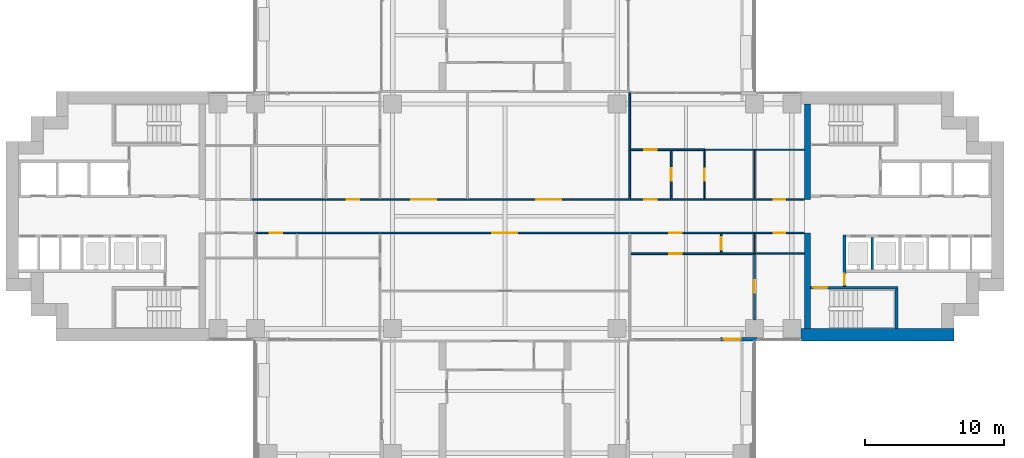
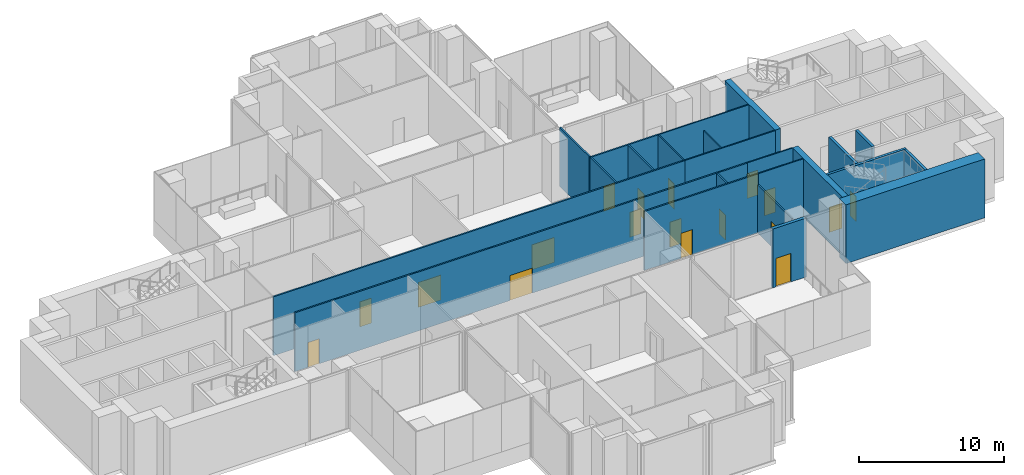
# One storey, part 9 of 17: 23 walls, 18 doors, 18 openings.
"""IFC4 building model written with IfcOpenShell, lengths in metres."""

from ifc_helpers import new_model, si_unit, direction, frame, frame_2d, origin, place, context, subcontext, project, spatial, rectangle, extrude, material, layer, layer_set, type_object, element, fill, save


model = new_model("IFC4")

# Units and contexts
model_context = context("Model", 3, precision=1e-05, world=origin(), true_north=direction((0.0, 1.0)))
body_context = subcontext(model_context, "Body", "Model", "MODEL_VIEW")
ifc_project = project(units=[si_unit("LENGTHUNIT", "METRE"), si_unit("AREAUNIT", "SQUARE_METRE"), si_unit("VOLUMEUNIT", "CUBIC_METRE"), si_unit("PLANEANGLEUNIT", "RADIAN"), si_unit("MASSUNIT", "GRAM", prefix="KILO")], contexts=[model_context])

# Site, building, storey
site_placement = place(None, origin())
site = spatial("IfcSite", under=ifc_project, at=site_placement, CompositionType="ELEMENT")
building_placement = place(site_placement, origin())
building = spatial("IfcBuilding", under=site, at=building_placement, Name="Perihelion Cross Residences", CompositionType="ELEMENT")
storey_placement = place(building_placement, frame((0.0, 0.0, 92.5)))
storey = spatial("IfcBuildingStorey", under=building, at=storey_placement, Name="L21", CompositionType="ELEMENT", Elevation=92.5)

# Wall, opening, door
ifc_material_1 = material(Name="Concrete C30/37, bronze-clad", Category="concrete")
ifc_layer_1 = layer(ifc_material_1, 0.25)
ifc_layer_set_1 = layer_set([ifc_layer_1], Name="Bronze-clad pier wall 250")
wall_type_1 = type_object("IfcWallType", Name="Bronze-clad pier wall 250", PredefinedType="SOLIDWALL", material=ifc_layer_set_1)
wall_1_placement = place(storey_placement, frame((15.550048828125, -8.875, 0.0), z_axis=(0.0, 0.0, 1.0), x_axis=(1.0, 0.0, 0.0)))
wall_1 = element("IfcWall", 1, at=wall_1_placement, inside=storey, type_object=wall_type_1, Name="Wall FW1 L21 east side south bay 1 pier", PredefinedType="SOLIDWALL", context=body_context, shape_type="SweptSolid", body=[
    extrude(rectangle(XDim=2.64990234375, YDim=0.25, at=frame_2d((1.324951171875, 0.0))), origin(), (0.0, 0.0, 1.0), 4.949951171875),
])
opening_1_placement = place(wall_1_placement, frame((0.25, 0.0, 0.0)))
opening_1 = element("IfcOpeningElement", 2, at=opening_1_placement, cuts=wall_1, Name="Opening L21.E08", PredefinedType="OPENING", context=body_context, shape_type="SweptSolid", body=[
    extrude(rectangle(XDim=1.199951171875, YDim=2.39990234375, at=frame_2d((0.60009765625, 1.199951171875))), frame((0.0, 0.135009765625, 0.0), z_axis=(0.0, -1.0, 0.0), x_axis=(1.0, 0.0, 0.0)), (0.0, 0.0, 1.0), 0.27001953125),
])
ifc_material_2 = material(Name="Bronze anodised aluminium, glazed", Category="aluminium")
door_type_1 = type_object("IfcDoorType", Name="Balcony door 1200 x 2400", OperationType="NOTDEFINED", PredefinedType="DOOR", material=ifc_material_2)
door_1_placement = place(opening_1_placement, origin())
door_1 = element("IfcDoor", 3, at=door_1_placement, inside=storey, type_object=door_type_1, Name="Door L21.E08 east side south bay 1", OperationType="SINGLE_SWING_LEFT", OverallHeight=2.39990234375, OverallWidth=1.199951171875, PredefinedType="DOOR", context=body_context, shape_type="SweptSolid", body=[
    extrude(rectangle(XDim=1.199951171875, YDim=2.39990234375, at=frame_2d((0.60009765625, 1.199951171875))), frame((0.0, 0.02490234375, 0.0), z_axis=(0.0, -1.0, 0.0), x_axis=(1.0, 0.0, 0.0)), (0.0, 0.0, 1.0), 0.050048828125),
])
fill(opening_1, door_1)

# Walls
ifc_material_3 = material(Name="Concrete C60/75", Category="concrete")
ifc_layer_2 = layer(ifc_material_3, 0.449951171875)
ifc_layer_set_2 = layer_set([ifc_layer_2], Name="Core wall, inner 450")
wall_type_2 = type_object("IfcWallType", Name="Core wall, inner 450", PredefinedType="SHEAR", material=ifc_layer_set_2)
for number, where, z_axis, x_axis, name in (
    (4, (21.824951171875, -8.10009765625, 0.0), (0.0, 0.0, 1.0), (0.0, 1.0, 0.0), "East core core wall, inner"),
    (5, (21.824951171875, 1.199951171875, 0.0), (0.0, 0.0, 1.0), (0.0, 1.0, 0.0), "East core core wall, inner"),
):
    element("IfcWall", number, at=place(storey_placement, frame(where, z_axis=z_axis, x_axis=x_axis)), inside=storey, type_object=wall_type_2, Name=name, PredefinedType="SHEAR", context=body_context, shape_type="SweptSolid", body=[
        extrude(rectangle(XDim=6.900146484375, YDim=0.449951171875, at=frame_2d((3.4501953125, 0.0))), origin(), (0.0, 0.0, 1.0), 4.949951171875),
    ])
ifc_material_4 = material(Name="Concrete C60/75", Category="concrete")
ifc_layer_3 = layer(ifc_material_4, 0.89990234375)
ifc_layer_set_3 = layer_set([ifc_layer_3], Name="Core wall, outer 900")
wall_type_3 = type_object("IfcWallType", Name="Core wall, outer 900", PredefinedType="SHEAR", material=ifc_layer_set_3)
wall_2_placement = place(storey_placement, frame((21.35009765625, -8.550048828125, 0.0), z_axis=(0.0, 0.0, 1.0), x_axis=(1.0, 0.0, 0.0)))
element("IfcWall", 6, at=wall_2_placement, inside=storey, type_object=wall_type_3, Name="East core core wall, outer", PredefinedType="SHEAR", context=body_context, shape_type="SweptSolid", body=[
    extrude(rectangle(XDim=11.0498046875, YDim=0.89990234375, at=frame_2d((5.52490234375, 0.0))), origin(), (0.0, 0.0, 1.0), 4.949951171875),
])

# Wall, opening, door
ifc_material_5 = material(Name="Concrete C50/60", Category="concrete")
ifc_layer_4 = layer(ifc_material_5, 0.199951171875)
ifc_layer_set_4 = layer_set([ifc_layer_4], Name="Lobby wall 200")
wall_type_4 = type_object("IfcWallType", Name="Lobby wall 200", PredefinedType="SOLIDWALL", material=ifc_layer_set_4)
wall_3_placement = place(storey_placement, frame((24.5, -5.050048828125, 0.0), z_axis=(0.0, 0.0, 1.0), x_axis=(0.0, 1.0, 0.0)))
wall_3 = element("IfcWall", 7, at=wall_3_placement, inside=storey, type_object=wall_type_4, Name="East core lobby wall", PredefinedType="SOLIDWALL", context=body_context, shape_type="SweptSolid", body=[
    extrude(rectangle(XDim=3.699951171875, YDim=0.199951171875, at=frame_2d((1.85009765625, 0.0))), origin(), (0.0, 0.0, 1.0), 4.949951171875),
])
opening_2_placement = place(wall_3_placement, frame((0.10009765625, 0.0, 0.0)))
opening_2 = element("IfcOpeningElement", 8, at=opening_2_placement, cuts=wall_3, Name="Opening L21.C13", PredefinedType="OPENING", context=body_context, shape_type="SweptSolid", body=[
    extrude(rectangle(XDim=0.800048828125, YDim=2.10009765625, at=frame_2d((0.39990234375, 1.050048828125))), frame((0.0, 0.10986328125, 0.0), z_axis=(0.0, -1.0, 0.0), x_axis=(1.0, 0.0, 0.0)), (0.0, 0.0, 1.0), 0.219970703125),
])
ifc_material_6 = material(Name="Steel, powder coated", Category="steel")
door_type_2 = type_object("IfcDoorType", Name="Riser door 800", OperationType="SINGLE_SWING_LEFT", PredefinedType="DOOR", material=ifc_material_6)
door_2_placement = place(opening_2_placement, origin())
door_2 = element("IfcDoor", 9, at=door_2_placement, inside=storey, type_object=door_type_2, Name="East core riser door", OperationType="SINGLE_SWING_LEFT", OverallHeight=2.10009765625, OverallWidth=0.800048828125, PredefinedType="DOOR", context=body_context, shape_type="SweptSolid", body=[
    extrude(rectangle(XDim=0.800048828125, YDim=2.10009765625, at=frame_2d((0.39990234375, 1.050048828125))), frame((0.0, 0.02490234375, 0.0), z_axis=(0.0, -1.0, 0.0), x_axis=(1.0, 0.0, 0.0)), (0.0, 0.0, 1.0), 0.050048828125),
])
fill(opening_2, door_2)

# Wall, openings, doors
ifc_material_7 = material(Name="Plasterboard partition")
ifc_layer_5 = layer(ifc_material_7, 0.1201171875)
ifc_layer_set_5 = layer_set([ifc_layer_5], Name="Partition wall 120")
wall_type_5 = type_object("IfcWallType", Name="Partition wall 120", PredefinedType="PARTITIONING", material=ifc_layer_set_5)
wall_4_placement = place(storey_placement, frame((-18.300048828125, 1.199951171875, 0.0), z_axis=(0.0, 0.0, 1.0), x_axis=(1.0, 0.0, 0.0)))
wall_4 = element("IfcWall", 10, at=wall_4_placement, inside=storey, type_object=wall_type_5, Name="Partition L21 W001", PredefinedType="PARTITIONING", context=body_context, shape_type="SweptSolid", body=[
    extrude(rectangle(XDim=32.699951171875, YDim=0.1201171875, at=frame_2d((16.35009765625, 0.0))), origin(), (0.0, 0.0, 1.0), 4.949951171875),
])
opening_3_placement = place(wall_4_placement, frame((11.550048828125, 0.0, 0.0)))
opening_3 = element("IfcOpeningElement", 11, at=opening_3_placement, cuts=wall_4, Name="Opening L21.A01", PredefinedType="OPENING", context=body_context, shape_type="SweptSolid", body=[
    extrude(rectangle(XDim=1.800048828125, YDim=2.10009765625, at=frame_2d((0.89990234375, 1.050048828125))), frame((0.0, 0.070068359375, 0.0), z_axis=(0.0, -1.0, 0.0), x_axis=(1.0, 0.0, 0.0)), (0.0, 0.0, 1.0), 0.14013671875),
])
opening_4_placement = place(wall_4_placement, frame((20.550048828125, 0.0, 0.0)))
opening_4 = element("IfcOpeningElement", 12, at=opening_4_placement, cuts=wall_4, Name="Opening L21.A02", PredefinedType="OPENING", context=body_context, shape_type="SweptSolid", body=[
    extrude(rectangle(XDim=1.800048828125, YDim=2.10009765625, at=frame_2d((0.89990234375, 1.050048828125))), frame((0.0, 0.070068359375, 0.0), z_axis=(0.0, -1.0, 0.0), x_axis=(1.0, 0.0, 0.0)), (0.0, 0.0, 1.0), 0.14013671875),
])
opening_5_placement = place(wall_4_placement, frame((28.35009765625, 0.0, 0.0)))
opening_5 = element("IfcOpeningElement", 13, at=opening_5_placement, cuts=wall_4, Name="Opening L21.A04", PredefinedType="OPENING", context=body_context, shape_type="SweptSolid", body=[
    extrude(rectangle(XDim=0.89990234375, YDim=2.10009765625, at=frame_2d((0.449951171875, 1.050048828125))), frame((0.0, 0.070068359375, 0.0), z_axis=(0.0, -1.0, 0.0), x_axis=(1.0, 0.0, 0.0)), (0.0, 0.0, 1.0), 0.14013671875),
])
opening_6_placement = place(wall_4_placement, frame((6.89990234375, 0.0, 0.0)))
opening_6 = element("IfcOpeningElement", 14, at=opening_6_placement, cuts=wall_4, Name="Opening L21.A08", PredefinedType="OPENING", context=body_context, shape_type="SweptSolid", body=[
    extrude(rectangle(XDim=0.89990234375, YDim=2.10009765625, at=frame_2d((0.449951171875, 1.050048828125))), frame((0.0, 0.070068359375, 0.0), z_axis=(0.0, -1.0, 0.0), x_axis=(1.0, 0.0, 0.0)), (0.0, 0.0, 1.0), 0.14013671875),
])
ifc_material_8 = material(Name="Glazed timber door leaf", Category="wood")
door_type_3 = type_object("IfcDoorType", Name="Interior double leaf door 1800 x 2100", OperationType="DOUBLE_DOOR_SINGLE_SWING", PredefinedType="DOOR", material=ifc_material_8)
door_3_placement = place(opening_3_placement, origin())
door_3 = element("IfcDoor", 15, at=door_3_placement, inside=storey, type_object=door_type_3, Name="Door L21.A01", OperationType="SINGLE_SWING_LEFT", OverallHeight=2.10009765625, OverallWidth=1.800048828125, PredefinedType="DOOR", context=body_context, shape_type="SweptSolid", body=[
    extrude(rectangle(XDim=1.800048828125, YDim=2.10009765625, at=frame_2d((0.89990234375, 1.050048828125))), frame((0.0, 0.02490234375, 0.0), z_axis=(0.0, -1.0, 0.0), x_axis=(1.0, 0.0, 0.0)), (0.0, 0.0, 1.0), 0.050048828125),
])
fill(opening_3, door_3)
door_4_placement = place(opening_4_placement, origin())
door_4 = element("IfcDoor", 16, at=door_4_placement, inside=storey, type_object=door_type_3, Name="Door L21.A02", OperationType="SINGLE_SWING_LEFT", OverallHeight=2.10009765625, OverallWidth=1.800048828125, PredefinedType="DOOR", context=body_context, shape_type="SweptSolid", body=[
    extrude(rectangle(XDim=1.800048828125, YDim=2.10009765625, at=frame_2d((0.89990234375, 1.050048828125))), frame((0.0, 0.02490234375, 0.0), z_axis=(0.0, -1.0, 0.0), x_axis=(1.0, 0.0, 0.0)), (0.0, 0.0, 1.0), 0.050048828125),
])
fill(opening_4, door_4)
ifc_material_9 = material(Name="Timber door leaf", Category="wood")
door_type_4 = type_object("IfcDoorType", Name="Interior room door 900 x 2100", OperationType="SINGLE_SWING_LEFT", PredefinedType="DOOR", material=ifc_material_9)
door_5_placement = place(opening_5_placement, origin())
door_5 = element("IfcDoor", 17, at=door_5_placement, inside=storey, type_object=door_type_4, Name="Door L21.A04", OperationType="SINGLE_SWING_RIGHT", OverallHeight=2.10009765625, OverallWidth=0.89990234375, PredefinedType="DOOR", context=body_context, shape_type="SweptSolid", body=[
    extrude(rectangle(XDim=0.89990234375, YDim=2.10009765625, at=frame_2d((0.449951171875, 1.050048828125))), frame((0.0, 0.02490234375, 0.0), z_axis=(0.0, -1.0, 0.0), x_axis=(1.0, 0.0, 0.0)), (0.0, 0.0, 1.0), 0.050048828125),
])
fill(opening_5, door_5)
door_6_placement = place(opening_6_placement, origin())
door_6 = element("IfcDoor", 18, at=door_6_placement, inside=storey, type_object=door_type_4, Name="Door L21.A08", OperationType="SINGLE_SWING_RIGHT", OverallHeight=2.10009765625, OverallWidth=0.89990234375, PredefinedType="DOOR", context=body_context, shape_type="SweptSolid", body=[
    extrude(rectangle(XDim=0.89990234375, YDim=2.10009765625, at=frame_2d((0.449951171875, 1.050048828125))), frame((0.0, 0.02490234375, 0.0), z_axis=(0.0, -1.0, 0.0), x_axis=(1.0, 0.0, 0.0)), (0.0, 0.0, 1.0), 0.050048828125),
])
fill(opening_6, door_6)

wall_5_placement = place(storey_placement, frame((18.0, -1.199951171875, 0.0), z_axis=(0.0, 0.0, 1.0), x_axis=(-1.0, 0.0, 0.0)))
wall_5 = element("IfcWall", 19, at=wall_5_placement, inside=storey, type_object=wall_type_5, Name="Partition L21 W002", PredefinedType="PARTITIONING", context=body_context, shape_type="SweptSolid", body=[
    extrude(rectangle(XDim=36.0, YDim=0.1201171875, at=frame_2d((18.0, 0.0))), origin(), (0.0, 0.0, 1.0), 4.949951171875),
])
opening_7_placement = place(wall_5_placement, frame((17.10009765625, 0.0, 0.0)))
opening_7 = element("IfcOpeningElement", 20, at=opening_7_placement, cuts=wall_5, Name="Opening L21.A03", PredefinedType="OPENING", context=body_context, shape_type="SweptSolid", body=[
    extrude(rectangle(XDim=1.800048828125, YDim=2.10009765625, at=frame_2d((0.89990234375, 1.050048828125))), frame((0.0, 0.070068359375, 0.0), z_axis=(0.0, -1.0, 0.0), x_axis=(1.0, 0.0, 0.0)), (0.0, 0.0, 1.0), 0.14013671875),
])
opening_8_placement = place(wall_5_placement, frame((5.25, 0.0, 0.0)))
opening_8 = element("IfcOpeningElement", 21, at=opening_8_placement, cuts=wall_5, Name="Opening L21.A06", PredefinedType="OPENING", context=body_context, shape_type="SweptSolid", body=[
    extrude(rectangle(XDim=0.89990234375, YDim=2.10009765625, at=frame_2d((0.449951171875, 1.050048828125))), frame((0.0, 0.070068359375, 0.0), z_axis=(0.0, -1.0, 0.0), x_axis=(1.0, 0.0, 0.0)), (0.0, 0.0, 1.0), 0.14013671875),
])
opening_9_placement = place(wall_5_placement, frame((34.050048828125, 0.0, 0.0)))
opening_9 = element("IfcOpeningElement", 22, at=opening_9_placement, cuts=wall_5, Name="Opening L21.A10", PredefinedType="OPENING", context=body_context, shape_type="SweptSolid", body=[
    extrude(rectangle(XDim=0.89990234375, YDim=2.10009765625, at=frame_2d((0.449951171875, 1.050048828125))), frame((0.0, 0.070068359375, 0.0), z_axis=(0.0, -1.0, 0.0), x_axis=(1.0, 0.0, 0.0)), (0.0, 0.0, 1.0), 0.14013671875),
])
door_7_placement = place(opening_7_placement, origin())
door_7 = element("IfcDoor", 23, at=door_7_placement, inside=storey, type_object=door_type_3, Name="Door L21.A03", OperationType="SINGLE_SWING_LEFT", OverallHeight=2.10009765625, OverallWidth=1.800048828125, PredefinedType="DOOR", context=body_context, shape_type="SweptSolid", body=[
    extrude(rectangle(XDim=1.800048828125, YDim=2.10009765625, at=frame_2d((0.89990234375, 1.050048828125))), frame((0.0, 0.02490234375, 0.0), z_axis=(0.0, -1.0, 0.0), x_axis=(1.0, 0.0, 0.0)), (0.0, 0.0, 1.0), 0.050048828125),
])
fill(opening_7, door_7)
door_8_placement = place(opening_8_placement, origin())
door_8 = element("IfcDoor", 24, at=door_8_placement, inside=storey, type_object=door_type_4, Name="Door L21.A06", OperationType="SINGLE_SWING_LEFT", OverallHeight=2.10009765625, OverallWidth=0.89990234375, PredefinedType="DOOR", context=body_context, shape_type="SweptSolid", body=[
    extrude(rectangle(XDim=0.89990234375, YDim=2.10009765625, at=frame_2d((0.449951171875, 1.050048828125))), frame((0.0, 0.02490234375, 0.0), z_axis=(0.0, -1.0, 0.0), x_axis=(1.0, 0.0, 0.0)), (0.0, 0.0, 1.0), 0.050048828125),
])
fill(opening_8, door_8)
door_9_placement = place(opening_9_placement, origin())
door_9 = element("IfcDoor", 25, at=door_9_placement, inside=storey, type_object=door_type_4, Name="Door L21.A10", OperationType="SINGLE_SWING_LEFT", OverallHeight=2.10009765625, OverallWidth=0.89990234375, PredefinedType="DOOR", context=body_context, shape_type="SweptSolid", body=[
    extrude(rectangle(XDim=0.89990234375, YDim=2.10009765625, at=frame_2d((0.449951171875, 1.050048828125))), frame((0.0, 0.02490234375, 0.0), z_axis=(0.0, -1.0, 0.0), x_axis=(1.0, 0.0, 0.0)), (0.0, 0.0, 1.0), 0.050048828125),
])
fill(opening_9, door_9)

# Wall
wall_6_placement = place(storey_placement, frame((9.0, 8.919921875, 0.0), z_axis=(0.0, 0.0, 1.0), x_axis=(0.0, -1.0, 0.0)))
element("IfcWall", 26, at=wall_6_placement, inside=storey, type_object=wall_type_5, Name="Partition L21 W010", PredefinedType="PARTITIONING", context=body_context, shape_type="SweptSolid", body=[
    extrude(rectangle(XDim=7.659912109375, YDim=0.1201171875, at=frame_2d((3.830078125, 0.0))), origin(), (0.0, 0.0, 1.0), 4.949951171875),
])

# Wall, opening, door
wall_7_placement = place(storey_placement, frame((14.39990234375, 4.800048828125, 0.0), z_axis=(0.0, 0.0, 1.0), x_axis=(-1.0, 0.0, 0.0)))
wall_7 = element("IfcWall", 27, at=wall_7_placement, inside=storey, type_object=wall_type_5, Name="Partition L21 W019", PredefinedType="PARTITIONING", context=body_context, shape_type="SweptSolid", body=[
    extrude(rectangle(XDim=5.4599609375, YDim=0.1201171875, at=frame_2d((2.72998046875, 0.0))), origin(), (0.0, 0.0, 1.0), 4.949951171875),
])
opening_10_placement = place(wall_7_placement, frame((3.449951171875, 0.0, 0.0)))
opening_10 = element("IfcOpeningElement", 28, at=opening_10_placement, cuts=wall_7, Name="Opening L21.A23", PredefinedType="OPENING", context=body_context, shape_type="SweptSolid", body=[
    extrude(rectangle(XDim=0.89990234375, YDim=2.10009765625, at=frame_2d((0.449951171875, 1.050048828125))), frame((0.0, 0.070068359375, 0.0), z_axis=(0.0, -1.0, 0.0), x_axis=(1.0, 0.0, 0.0)), (0.0, 0.0, 1.0), 0.14013671875),
])
door_10_placement = place(opening_10_placement, origin())
door_10 = element("IfcDoor", 29, at=door_10_placement, inside=storey, type_object=door_type_4, Name="Door L21.A23", OperationType="SINGLE_SWING_LEFT", OverallHeight=2.10009765625, OverallWidth=0.89990234375, PredefinedType="DOOR", context=body_context, shape_type="SweptSolid", body=[
    extrude(rectangle(XDim=0.89990234375, YDim=2.10009765625, at=frame_2d((0.449951171875, 1.050048828125))), frame((0.0, 0.02490234375, 0.0), z_axis=(0.0, -1.0, 0.0), x_axis=(1.0, 0.0, 0.0)), (0.0, 0.0, 1.0), 0.050048828125),
])
fill(opening_10, door_10)

wall_8_placement = place(storey_placement, frame((12.0, 4.739990234375, 0.0), z_axis=(0.0, 0.0, 1.0), x_axis=(0.0, -1.0, 0.0)))
wall_8 = element("IfcWall", 30, at=wall_8_placement, inside=storey, type_object=wall_type_5, Name="Partition L21 W021", PredefinedType="PARTITIONING", context=body_context, shape_type="SweptSolid", body=[
    extrude(rectangle(XDim=3.47998046875, YDim=0.1201171875, at=frame_2d((1.739990234375, 0.0))), origin(), (0.0, 0.0, 1.0), 4.949951171875),
])
opening_11_placement = place(wall_8_placement, frame((1.2900390625, 0.0, 0.0)))
opening_11 = element("IfcOpeningElement", 31, at=opening_11_placement, cuts=wall_8, Name="Opening L21.A12", PredefinedType="OPENING", context=body_context, shape_type="SweptSolid", body=[
    extrude(rectangle(XDim=0.89990234375, YDim=2.10009765625, at=frame_2d((0.449951171875, 1.050048828125))), frame((0.0, 0.070068359375, 0.0), z_axis=(0.0, -1.0, 0.0), x_axis=(1.0, 0.0, 0.0)), (0.0, 0.0, 1.0), 0.14013671875),
])
door_11_placement = place(opening_11_placement, origin())
door_11 = element("IfcDoor", 32, at=door_11_placement, inside=storey, type_object=door_type_4, Name="Door L21.A12", OperationType="SINGLE_SWING_LEFT", OverallHeight=2.10009765625, OverallWidth=0.89990234375, PredefinedType="DOOR", context=body_context, shape_type="SweptSolid", body=[
    extrude(rectangle(XDim=0.89990234375, YDim=2.10009765625, at=frame_2d((0.449951171875, 1.050048828125))), frame((0.0, 0.02490234375, 0.0), z_axis=(0.0, -1.0, 0.0), x_axis=(1.0, 0.0, 0.0)), (0.0, 0.0, 1.0), 0.050048828125),
])
fill(opening_11, door_11)

wall_9_placement = place(storey_placement, frame((18.0, -2.699951171875, 0.0), z_axis=(0.0, 0.0, 1.0), x_axis=(0.0, -1.0, 0.0)))
wall_9 = element("IfcWall", 33, at=wall_9_placement, inside=storey, type_object=wall_type_5, Name="Partition L21 W024", PredefinedType="PARTITIONING", context=body_context, shape_type="SweptSolid", body=[
    extrude(rectangle(XDim=4.75, YDim=0.1201171875, at=frame_2d((2.375, 0.0))), origin(), (0.0, 0.0, 1.0), 4.0458984375),
])
opening_12_placement = place(wall_9_placement, frame((1.925048828125, 0.0, 0.0)))
opening_12 = element("IfcOpeningElement", 34, at=opening_12_placement, cuts=wall_9, Name="Opening L21.A14", PredefinedType="OPENING", context=body_context, shape_type="SweptSolid", body=[
    extrude(rectangle(XDim=0.89990234375, YDim=2.10009765625, at=frame_2d((0.449951171875, 1.050048828125))), frame((0.0, 0.070068359375, 0.0), z_axis=(0.0, -1.0, 0.0), x_axis=(1.0, 0.0, 0.0)), (0.0, 0.0, 1.0), 0.14013671875),
])
door_12_placement = place(opening_12_placement, origin())
door_12 = element("IfcDoor", 35, at=door_12_placement, inside=storey, type_object=door_type_4, Name="Door L21.A14", OperationType="SINGLE_SWING_RIGHT", OverallHeight=2.10009765625, OverallWidth=0.89990234375, PredefinedType="DOOR", context=body_context, shape_type="SweptSolid", body=[
    extrude(rectangle(XDim=0.89990234375, YDim=2.10009765625, at=frame_2d((0.449951171875, 1.050048828125))), frame((0.0, 0.02490234375, 0.0), z_axis=(0.0, -1.0, 0.0), x_axis=(1.0, 0.0, 0.0)), (0.0, 0.0, 1.0), 0.050048828125),
])
fill(opening_12, door_12)

wall_10_placement = place(storey_placement, frame((8.93994140625, -2.699951171875, 0.0), z_axis=(0.0, 0.0, 1.0), x_axis=(1.0, 0.0, 0.0)))
wall_10 = element("IfcWall", 36, at=wall_10_placement, inside=storey, type_object=wall_type_5, Name="Partition L21 W025", PredefinedType="PARTITIONING", context=body_context, shape_type="SweptSolid", body=[
    extrude(rectangle(XDim=9.06005859375, YDim=0.1201171875, at=frame_2d((4.530029296875, 0.0))), origin(), (0.0, 0.0, 1.0), 4.949951171875),
])
opening_13_placement = place(wall_10_placement, frame((2.909912109375, 0.0, 0.0)))
opening_13 = element("IfcOpeningElement", 37, at=opening_13_placement, cuts=wall_10, Name="Opening L21.A21", PredefinedType="OPENING", context=body_context, shape_type="SweptSolid", body=[
    extrude(rectangle(XDim=0.89990234375, YDim=2.10009765625, at=frame_2d((0.449951171875, 1.050048828125))), frame((0.0, 0.070068359375, 0.0), z_axis=(0.0, -1.0, 0.0), x_axis=(1.0, 0.0, 0.0)), (0.0, 0.0, 1.0), 0.14013671875),
])
door_13_placement = place(opening_13_placement, origin())
door_13 = element("IfcDoor", 38, at=door_13_placement, inside=storey, type_object=door_type_4, Name="Door L21.A21", OperationType="SINGLE_SWING_LEFT", OverallHeight=2.10009765625, OverallWidth=0.89990234375, PredefinedType="DOOR", context=body_context, shape_type="SweptSolid", body=[
    extrude(rectangle(XDim=0.89990234375, YDim=2.10009765625, at=frame_2d((0.449951171875, 1.050048828125))), frame((0.0, 0.02490234375, 0.0), z_axis=(0.0, -1.0, 0.0), x_axis=(1.0, 0.0, 0.0)), (0.0, 0.0, 1.0), 0.050048828125),
])
fill(opening_13, door_13)

wall_11_placement = place(storey_placement, frame((15.60009765625, -1.260009765625, 0.0), z_axis=(0.0, 0.0, 1.0), x_axis=(0.0, -1.0, 0.0)))
wall_11 = element("IfcWall", 39, at=wall_11_placement, inside=storey, type_object=wall_type_5, Name="Partition L21 W027", PredefinedType="PARTITIONING", context=body_context, shape_type="SweptSolid", body=[
    extrude(rectangle(XDim=1.3798828125, YDim=0.1201171875, at=frame_2d((0.68994140625, 0.0))), origin(), (0.0, 0.0, 1.0), 4.949951171875),
])
opening_14_placement = place(wall_11_placement, frame((0.239990234375, 0.0, 0.0)))
opening_14 = element("IfcOpeningElement", 40, at=opening_14_placement, cuts=wall_11, Name="Opening L21.A16", PredefinedType="OPENING", context=body_context, shape_type="SweptSolid", body=[
    extrude(rectangle(XDim=0.89990234375, YDim=2.10009765625, at=frame_2d((0.449951171875, 1.050048828125))), frame((0.0, 0.070068359375, 0.0), z_axis=(0.0, -1.0, 0.0), x_axis=(1.0, 0.0, 0.0)), (0.0, 0.0, 1.0), 0.14013671875),
])
door_14_placement = place(opening_14_placement, origin())
door_14 = element("IfcDoor", 41, at=door_14_placement, inside=storey, type_object=door_type_4, Name="Door L21.A16", OperationType="SINGLE_SWING_RIGHT", OverallHeight=2.10009765625, OverallWidth=0.89990234375, PredefinedType="DOOR", context=body_context, shape_type="SweptSolid", body=[
    extrude(rectangle(XDim=0.89990234375, YDim=2.10009765625, at=frame_2d((0.449951171875, 1.050048828125))), frame((0.0, 0.02490234375, 0.0), z_axis=(0.0, -1.0, 0.0), x_axis=(1.0, 0.0, 0.0)), (0.0, 0.0, 1.0), 0.050048828125),
])
fill(opening_14, door_14)

# Wall
ifc_material_10 = material(Name="Concrete C50/60", Category="concrete")
ifc_layer_6 = layer(ifc_material_10, 0.199951171875)
ifc_layer_set_6 = layer_set([ifc_layer_6], Name="Shaft wall 200")
wall_type_6 = type_object("IfcWallType", Name="Shaft wall 200", PredefinedType="SOLIDWALL", material=ifc_layer_set_6)
wall_12_placement = place(storey_placement, frame((26.5, -3.85009765625, 0.0), z_axis=(0.0, 0.0, 1.0), x_axis=(0.0, 1.0, 0.0)))
element("IfcWall", 42, at=wall_12_placement, inside=storey, type_object=wall_type_6, Name="East core shaft wall", PredefinedType="SOLIDWALL", context=body_context, shape_type="SweptSolid", body=[
    extrude(rectangle(XDim=2.300048828125, YDim=0.199951171875, at=frame_2d((1.14990234375, 0.0))), origin(), (0.0, 0.0, 1.0), 4.949951171875),
])

# Wall, opening, door
ifc_material_11 = material(Name="Concrete C50/60", Category="concrete")
ifc_layer_7 = layer(ifc_material_11, 0.199951171875)
ifc_layer_set_7 = layer_set([ifc_layer_7], Name="Stair wall 200")
wall_type_7 = type_object("IfcWallType", Name="Stair wall 200", PredefinedType="SOLIDWALL", material=ifc_layer_set_7)
wall_13_placement = place(storey_placement, frame((22.050048828125, -5.14990234375, 0.0), z_axis=(0.0, 0.0, 1.0), x_axis=(1.0, 0.0, 0.0)))
wall_13 = element("IfcWall", 43, at=wall_13_placement, inside=storey, type_object=wall_type_7, Name="East core stair wall", PredefinedType="SOLIDWALL", context=body_context, shape_type="SweptSolid", body=[
    extrude(rectangle(XDim=6.300048828125, YDim=0.199951171875, at=frame_2d((3.14990234375, 0.0))), origin(), (0.0, 0.0, 1.0), 4.949951171875),
])
opening_15_placement = place(wall_13_placement, frame((0.199951171875, 0.0, 0.0)))
opening_15 = element("IfcOpeningElement", 44, at=opening_15_placement, cuts=wall_13, Name="Opening L21.C10", PredefinedType="OPENING", context=body_context, shape_type="SweptSolid", body=[
    extrude(rectangle(XDim=1.0, YDim=2.10009765625, at=frame_2d((0.5, 1.050048828125))), frame((0.0, 0.10986328125, 0.0), z_axis=(0.0, -1.0, 0.0), x_axis=(1.0, 0.0, 0.0)), (0.0, 0.0, 1.0), 0.219970703125),
])
ifc_material_12 = material(Name="Steel, powder coated", Category="steel")
door_type_5 = type_object("IfcDoorType", Name="Stair door 1000", OperationType="SINGLE_SWING_LEFT", PredefinedType="DOOR", material=ifc_material_12)
door_15_placement = place(opening_15_placement, origin())
door_15 = element("IfcDoor", 45, at=door_15_placement, inside=storey, type_object=door_type_5, Name="East core stair door", OperationType="SINGLE_SWING_LEFT", OverallHeight=2.10009765625, OverallWidth=1.0, PredefinedType="DOOR", context=body_context, shape_type="SweptSolid", body=[
    extrude(rectangle(XDim=1.0, YDim=2.10009765625, at=frame_2d((0.5, 1.050048828125))), frame((0.0, 0.02490234375, 0.0), z_axis=(0.0, -1.0, 0.0), x_axis=(1.0, 0.0, 0.0)), (0.0, 0.0, 1.0), 0.050048828125),
])
fill(opening_15, door_15)

# Wall
wall_14_placement = place(storey_placement, frame((28.25, -8.10009765625, 0.0), z_axis=(0.0, 0.0, 1.0), x_axis=(0.0, 1.0, 0.0)))
element("IfcWall", 46, at=wall_14_placement, inside=storey, type_object=wall_type_7, Name="East core stair wall", PredefinedType="SOLIDWALL", context=body_context, shape_type="SweptSolid", body=[
    extrude(rectangle(XDim=2.85009765625, YDim=0.199951171875, at=frame_2d((1.425048828125, 0.0))), origin(), (0.0, 0.0, 1.0), 4.949951171875),
])

# Wall, opening, door
ifc_material_13 = material(Name="Plasterboard partition")
ifc_layer_8 = layer(ifc_material_13, 0.10009765625)
ifc_layer_set_8 = layer_set([ifc_layer_8], Name="Wet room wall 100")
wall_type_8 = type_object("IfcWallType", Name="Wet room wall 100", PredefinedType="PARTITIONING", material=ifc_layer_set_8)
wall_15_placement = place(storey_placement, frame((14.39990234375, 1.199951171875, 0.0), z_axis=(0.0, 0.0, 1.0), x_axis=(1.0, 0.0, 0.0)))
wall_15 = element("IfcWall", 47, at=wall_15_placement, inside=storey, type_object=wall_type_8, Name="Partition L21 W003", PredefinedType="PARTITIONING", context=body_context, shape_type="SweptSolid", body=[
    extrude(rectangle(XDim=7.2001953125, YDim=0.10009765625, at=frame_2d((3.60009765625, 0.0))), origin(), (0.0, 0.0, 1.0), 4.949951171875),
])
opening_16_placement = place(wall_15_placement, frame((4.97509765625, 0.0, 0.0)))
opening_16 = element("IfcOpeningElement", 48, at=opening_16_placement, cuts=wall_15, Name="Opening L21.A05", PredefinedType="OPENING", context=body_context, shape_type="SweptSolid", body=[
    extrude(rectangle(XDim=0.85009765625, YDim=2.10009765625, at=frame_2d((0.425048828125, 1.050048828125))), frame((0.0, 0.06005859375, 0.0), z_axis=(0.0, -1.0, 0.0), x_axis=(1.0, 0.0, 0.0)), (0.0, 0.0, 1.0), 0.1201171875),
])
ifc_material_14 = material(Name="Timber door leaf", Category="wood")
door_type_6 = type_object("IfcDoorType", Name="Interior bathroom door 850 x 2100", OperationType="SINGLE_SWING_LEFT", PredefinedType="DOOR", material=ifc_material_14)
door_16_placement = place(opening_16_placement, origin())
door_16 = element("IfcDoor", 49, at=door_16_placement, inside=storey, type_object=door_type_6, Name="Door L21.A05", OperationType="SINGLE_SWING_RIGHT", OverallHeight=2.10009765625, OverallWidth=0.85009765625, PredefinedType="DOOR", context=body_context, shape_type="SweptSolid", body=[
    extrude(rectangle(XDim=0.85009765625, YDim=2.10009765625, at=frame_2d((0.425048828125, 1.050048828125))), frame((0.0, 0.02490234375, 0.0), z_axis=(0.0, -1.0, 0.0), x_axis=(1.0, 0.0, 0.0)), (0.0, 0.0, 1.0), 0.050048828125),
])
fill(opening_16, door_16)

wall_16_placement = place(storey_placement, frame((21.60009765625, -1.199951171875, 0.0), z_axis=(0.0, 0.0, 1.0), x_axis=(-1.0, 0.0, 0.0)))
wall_16 = element("IfcWall", 50, at=wall_16_placement, inside=storey, type_object=wall_type_8, Name="Partition L21 W004", PredefinedType="PARTITIONING", context=body_context, shape_type="SweptSolid", body=[
    extrude(rectangle(XDim=3.60009765625, YDim=0.10009765625, at=frame_2d((1.800048828125, 0.0))), origin(), (0.0, 0.0, 1.0), 4.949951171875),
])
opening_17_placement = place(wall_16_placement, frame((1.375, 0.0, 0.0)))
opening_17 = element("IfcOpeningElement", 51, at=opening_17_placement, cuts=wall_16, Name="Opening L21.A07", PredefinedType="OPENING", context=body_context, shape_type="SweptSolid", body=[
    extrude(rectangle(XDim=0.85009765625, YDim=2.10009765625, at=frame_2d((0.425048828125, 1.050048828125))), frame((0.0, 0.06005859375, 0.0), z_axis=(0.0, -1.0, 0.0), x_axis=(1.0, 0.0, 0.0)), (0.0, 0.0, 1.0), 0.1201171875),
])
door_17_placement = place(opening_17_placement, origin())
door_17 = element("IfcDoor", 52, at=door_17_placement, inside=storey, type_object=door_type_6, Name="Door L21.A07", OperationType="SINGLE_SWING_LEFT", OverallHeight=2.10009765625, OverallWidth=0.85009765625, PredefinedType="DOOR", context=body_context, shape_type="SweptSolid", body=[
    extrude(rectangle(XDim=0.85009765625, YDim=2.10009765625, at=frame_2d((0.425048828125, 1.050048828125))), frame((0.0, 0.02490234375, 0.0), z_axis=(0.0, -1.0, 0.0), x_axis=(1.0, 0.0, 0.0)), (0.0, 0.0, 1.0), 0.050048828125),
])
fill(opening_17, door_17)

# Wall
wall_17_placement = place(storey_placement, frame((21.60009765625, 4.800048828125, 0.0), z_axis=(0.0, 0.0, 1.0), x_axis=(-1.0, 0.0, 0.0)))
element("IfcWall", 53, at=wall_17_placement, inside=storey, type_object=wall_type_8, Name="Partition L21 W020", PredefinedType="PARTITIONING", context=body_context, shape_type="SweptSolid", body=[
    extrude(rectangle(XDim=7.2001953125, YDim=0.10009765625, at=frame_2d((3.60009765625, 0.0))), origin(), (0.0, 0.0, 1.0), 4.949951171875),
])

# Wall, opening, door
wall_18_placement = place(storey_placement, frame((14.39990234375, 4.739990234375, 0.0), z_axis=(0.0, 0.0, 1.0), x_axis=(0.0, -1.0, 0.0)))
wall_18 = element("IfcWall", 54, at=wall_18_placement, inside=storey, type_object=wall_type_8, Name="Partition L21 W022", PredefinedType="PARTITIONING", context=body_context, shape_type="SweptSolid", body=[
    extrude(rectangle(XDim=3.47998046875, YDim=0.10009765625, at=frame_2d((1.739990234375, 0.0))), origin(), (0.0, 0.0, 1.0), 4.949951171875),
])
opening_18_placement = place(wall_18_placement, frame((1.31494140625, 0.0, 0.0)))
opening_18 = element("IfcOpeningElement", 55, at=opening_18_placement, cuts=wall_18, Name="Opening L21.A13", PredefinedType="OPENING", context=body_context, shape_type="SweptSolid", body=[
    extrude(rectangle(XDim=0.85009765625, YDim=2.10009765625, at=frame_2d((0.425048828125, 1.050048828125))), frame((0.0, 0.06005859375, 0.0), z_axis=(0.0, -1.0, 0.0), x_axis=(1.0, 0.0, 0.0)), (0.0, 0.0, 1.0), 0.1201171875),
])
door_18_placement = place(opening_18_placement, origin())
door_18 = element("IfcDoor", 56, at=door_18_placement, inside=storey, type_object=door_type_6, Name="Door L21.A13", OperationType="SINGLE_SWING_LEFT", OverallHeight=2.10009765625, OverallWidth=0.85009765625, PredefinedType="DOOR", context=body_context, shape_type="SweptSolid", body=[
    extrude(rectangle(XDim=0.85009765625, YDim=2.10009765625, at=frame_2d((0.425048828125, 1.050048828125))), frame((0.0, 0.02490234375, 0.0), z_axis=(0.0, -1.0, 0.0), x_axis=(1.0, 0.0, 0.0)), (0.0, 0.0, 1.0), 0.050048828125),
])
fill(opening_18, door_18)

# Walls
wall_19_placement = place(storey_placement, frame((18.0, 4.75, 0.0), z_axis=(0.0, 0.0, 1.0), x_axis=(0.0, -1.0, 0.0)))
element("IfcWall", 57, at=wall_19_placement, inside=storey, type_object=wall_type_8, Name="Partition L21 W023", PredefinedType="PARTITIONING", context=body_context, shape_type="SweptSolid", body=[
    extrude(rectangle(XDim=3.5, YDim=0.10009765625, at=frame_2d((1.75, 0.0))), origin(), (0.0, 0.0, 1.0), 4.0458984375),
])
wall_20_placement = place(storey_placement, frame((18.0, -2.699951171875, 0.0), z_axis=(0.0, 0.0, 1.0), x_axis=(1.0, 0.0, 0.0)))
element("IfcWall", 58, at=wall_20_placement, inside=storey, type_object=wall_type_8, Name="Partition L21 W026", PredefinedType="PARTITIONING", context=body_context, shape_type="SweptSolid", body=[
    extrude(rectangle(XDim=3.60009765625, YDim=0.10009765625, at=frame_2d((1.800048828125, 0.0))), origin(), (0.0, 0.0, 1.0), 4.949951171875),
])
wall_21_placement = place(storey_placement, frame((18.0, -1.260009765625, 0.0), z_axis=(0.0, 0.0, 1.0), x_axis=(0.0, -1.0, 0.0)))
element("IfcWall", 59, at=wall_21_placement, inside=storey, type_object=wall_type_8, Name="Partition L21 W028", PredefinedType="PARTITIONING", context=body_context, shape_type="SweptSolid", body=[
    extrude(rectangle(XDim=1.43994140625, YDim=0.10009765625, at=frame_2d((0.719970703125, 0.0))), origin(), (0.0, 0.0, 1.0), 4.0458984375),
])

save(model, "model.ifc")
